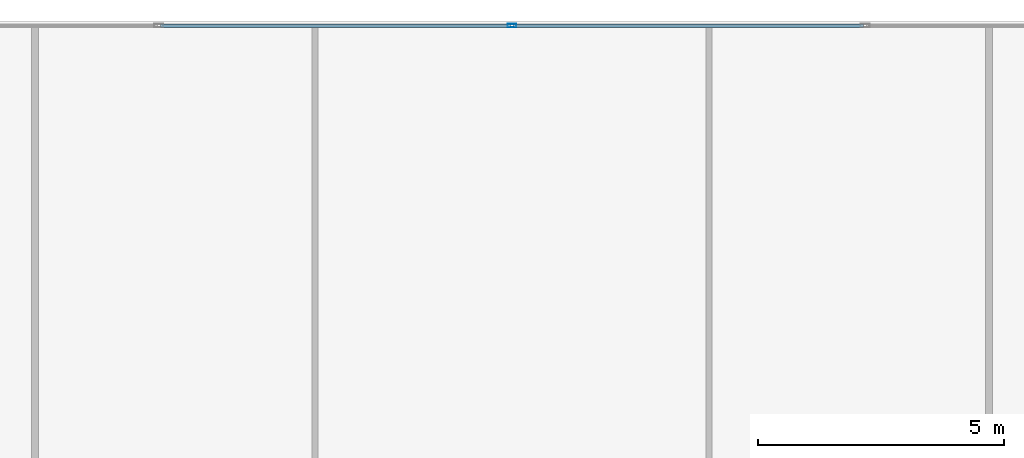
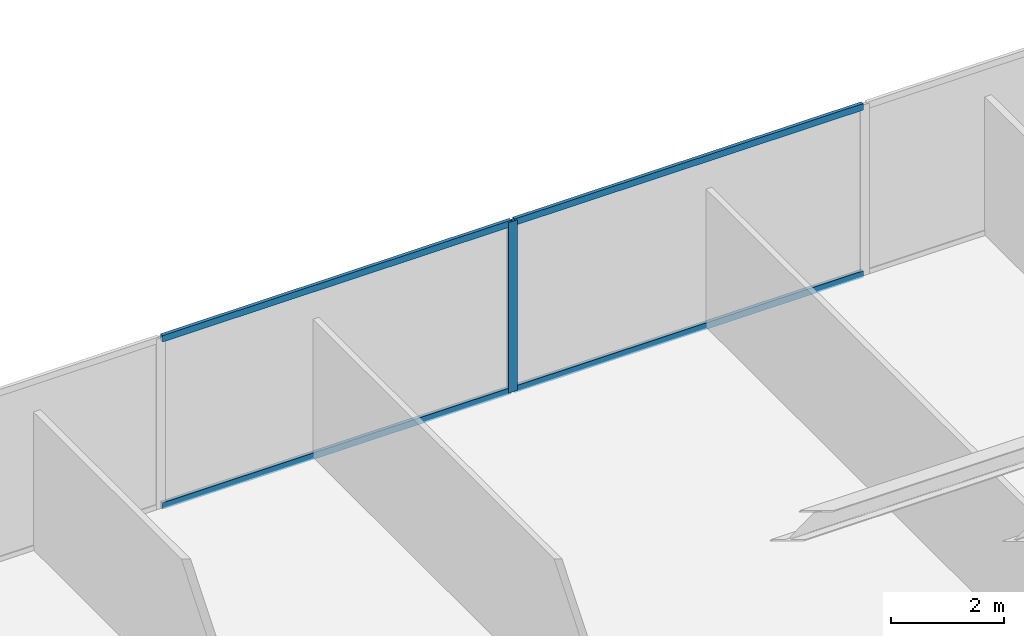
# One storey, part 20 of 28: 5 members, 1 element without a shape of its own.
"""IFC4 building model written with IfcOpenShell, lengths in metres."""

from ifc_helpers import new_model, si_unit, direction, frame, origin, origin_2d, place, context, subcontext, project, spatial, hollow_rectangle, extrude, source, transform, mapped, material, material_profile, profile_set, type_object, type_shapes, element, aggregate, save


model = new_model("IFC4")

# Units and contexts
model_context = context("Model", 3, precision=1e-05, world=origin(), true_north=direction((0.0, 1.0)))
body_context = subcontext(model_context, "Body", "Model", "MODEL_VIEW")
ifc_project = project(units=[si_unit("LENGTHUNIT", "METRE"), si_unit("AREAUNIT", "SQUARE_METRE"), si_unit("VOLUMEUNIT", "CUBIC_METRE"), si_unit("PLANEANGLEUNIT", "RADIAN"), si_unit("MASSUNIT", "GRAM", prefix="KILO")], contexts=[model_context])

# Site, building, storey
site_placement = place(None, origin())
site = spatial("IfcSite", under=ifc_project, at=site_placement, CompositionType="ELEMENT")
building_placement = place(site_placement, origin())
building = spatial("IfcBuilding", under=site, at=building_placement, Name="Krantzveldt Concourse Tower", CompositionType="ELEMENT")
storey_placement = place(building_placement, frame((0.0, 0.0, 28.949951171875)))
storey = spatial("IfcBuildingStorey", under=building, at=storey_placement, Name="L06", CompositionType="ELEMENT", Elevation=28.949951171875)

# Curtain wall, members
ifc_material = material(Name="Anodised aluminium 6063-T6", Category="aluminium")
curtain_wall_type = type_object("IfcCurtainWallType", Name="CW2", PredefinedType="USERDEFINED", material=ifc_material)
curtain_wall_placement = place(storey_placement, origin())
curtain_wall = element("IfcCurtainWall", 1, at=curtain_wall_placement, inside=storey, type_object=curtain_wall_type, Name="CW-L06-F10", ObjectType="UNITISED CURTAIN WALL", PredefinedType="USERDEFINED")
ifc_material_profile_1 = material_profile(ifc_material, hollow_rectangle(XDim=0.070068359375, YDim=0.139892578125, WallThickness=0.0048828125, at=origin_2d()), Name="Anodised aluminium 6063-T6", Category="aluminium")
ifc_profile_set_1 = profile_set([ifc_material_profile_1], Name="Anodised aluminium 6063-T6 - ALU-TRAN 140x70x5")
member_type_1 = type_object("IfcMemberType", Name="CW-TRN-150", PredefinedType="USERDEFINED", material=ifc_profile_set_1)
shared_shape_1 = source(origin(), body_context, "Body", "SweptSolid", [
    extrude(hollow_rectangle(XDim=0.070068359375, YDim=0.139892578125, WallThickness=0.0048828125, at=origin_2d()), origin(), (0.0, 0.0, 1.0), 7.0966796875),
])
type_shapes(member_type_1, [shared_shape_1])
member_1_placement = place(storey_placement, frame((43.131591796875, 51.610107421875, 0.03515625), z_axis=(-1.0, 0.0, 0.0), x_axis=(0.0, -1.0, 0.0)))
member_1 = element("IfcMember", 2, at=member_1_placement, type_object=member_type_1, Name="CW-Z12 transom 3.1", ObjectType="TRANSOM", PredefinedType="USERDEFINED", context=body_context, shape_type="MappedRepresentation", body=[
    mapped(shared_shape_1, transform((0.0, 0.0, 0.0), x_axis=(1.0, 0.0, 0.0), y_axis=(0.0, 1.0, 0.0), z_axis=(0.0, 0.0, 1.0), scale=1.0)),
])
member_2_placement = place(storey_placement, frame((43.131591796875, 51.610107421875, 3.635009765625), z_axis=(-1.0, 0.0, 0.0), x_axis=(0.0, -1.0, 0.0)))
member_2 = element("IfcMember", 3, at=member_2_placement, type_object=member_type_1, Name="CW-Z12 transom 3.2", ObjectType="TRANSOM", PredefinedType="USERDEFINED", context=body_context, shape_type="MappedRepresentation", body=[
    mapped(shared_shape_1, transform((0.0, 0.0, 0.0), x_axis=(1.0, 0.0, 0.0), y_axis=(0.0, 1.0, 0.0), z_axis=(0.0, 0.0, 1.0), scale=1.0)),
])
member_3_placement = place(storey_placement, frame((35.965087890625, 51.610107421875, 0.03515625), z_axis=(-1.0, 0.0, 0.0), x_axis=(0.0, -1.0, 0.0)))
member_3 = element("IfcMember", 4, at=member_3_placement, type_object=member_type_1, Name="CW-Z12 transom 4.1", ObjectType="TRANSOM", PredefinedType="USERDEFINED", context=body_context, shape_type="MappedRepresentation", body=[
    mapped(shared_shape_1, transform((0.0, 0.0, 0.0), x_axis=(1.0, 0.0, 0.0), y_axis=(0.0, 1.0, 0.0), z_axis=(0.0, 0.0, 1.0), scale=1.0)),
])
member_4_placement = place(storey_placement, frame((35.965087890625, 51.610107421875, 3.635009765625), z_axis=(-1.0, 0.0, 0.0), x_axis=(0.0, -1.0, 0.0)))
member_4 = element("IfcMember", 5, at=member_4_placement, type_object=member_type_1, Name="CW-Z12 transom 4.2", ObjectType="TRANSOM", PredefinedType="USERDEFINED", context=body_context, shape_type="MappedRepresentation", body=[
    mapped(shared_shape_1, transform((0.0, 0.0, 0.0), x_axis=(1.0, 0.0, 0.0), y_axis=(0.0, 1.0, 0.0), z_axis=(0.0, 0.0, 1.0), scale=1.0)),
])
ifc_material_profile_2 = material_profile(ifc_material, hollow_rectangle(XDim=0.070068359375, YDim=0.179931640625, WallThickness=0.0048828125, at=origin_2d()), Name="Anodised aluminium 6063-T6", Category="aluminium")
ifc_profile_set_2 = profile_set([ifc_material_profile_2], Name="Anodised aluminium 6063-T6 - ALU-MULL 180x70x5")
member_type_2 = type_object("IfcMemberType", Name="CW-MUL-180", PredefinedType="MULLION", material=ifc_profile_set_2)
shared_shape_2 = source(origin(), body_context, "Body", "SweptSolid", [
    extrude(hollow_rectangle(XDim=0.070068359375, YDim=0.179931640625, WallThickness=0.0048828125, at=origin_2d()), origin(), (0.0, 0.0, 1.0), 3.670166015625),
])
type_shapes(member_type_2, [shared_shape_2])
member_5_placement = place(storey_placement, frame((36.0, 51.610107421875, 0.0), z_axis=(0.0, 0.0, 1.0), x_axis=(0.0, -1.0, 0.0)))
member_5 = element("IfcMember", 6, at=member_5_placement, type_object=member_type_2, Name="CW-Z12 mullion 4", PredefinedType="MULLION", context=body_context, shape_type="MappedRepresentation", body=[
    mapped(shared_shape_2, transform((0.0, 0.0, 0.0), x_axis=(1.0, 0.0, 0.0), y_axis=(0.0, 1.0, 0.0), z_axis=(0.0, 0.0, 1.0), scale=1.0)),
])
aggregate(curtain_wall, [member_5, member_1, member_2, member_3, member_4])

save(model, "model.ifc")
